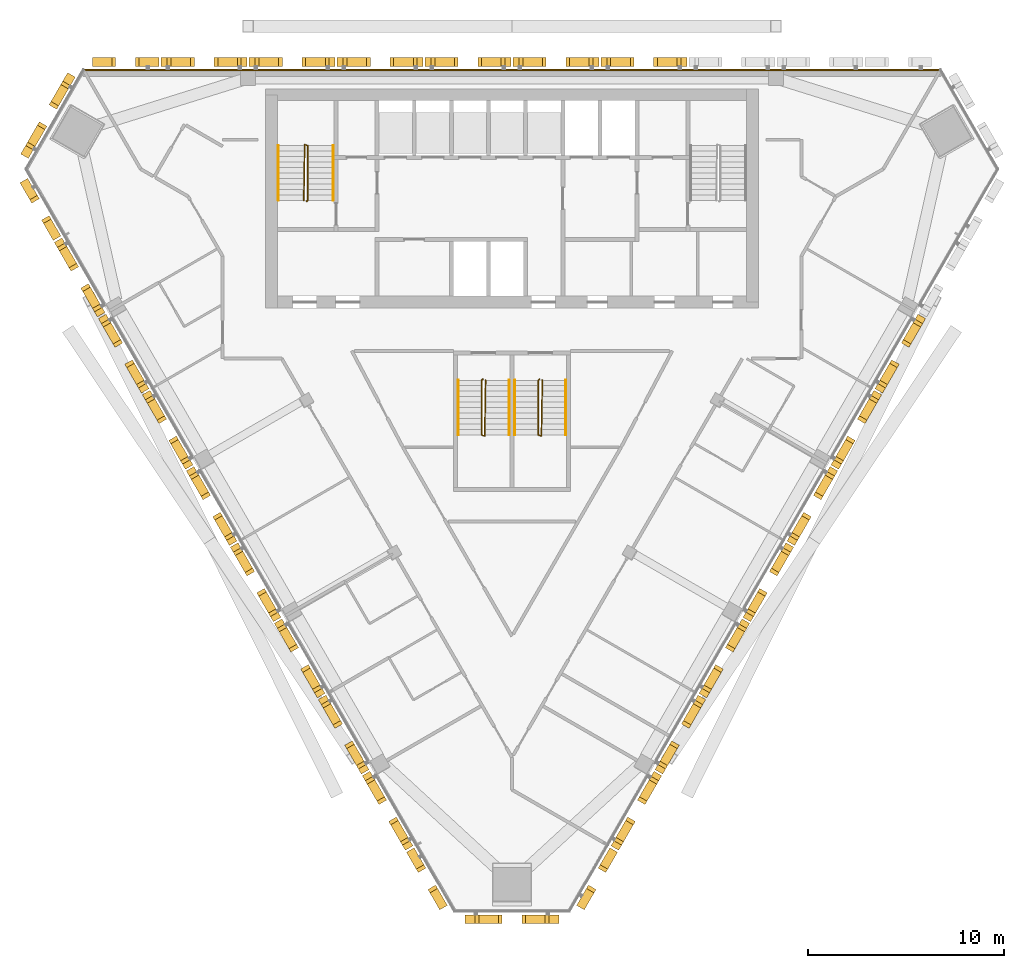
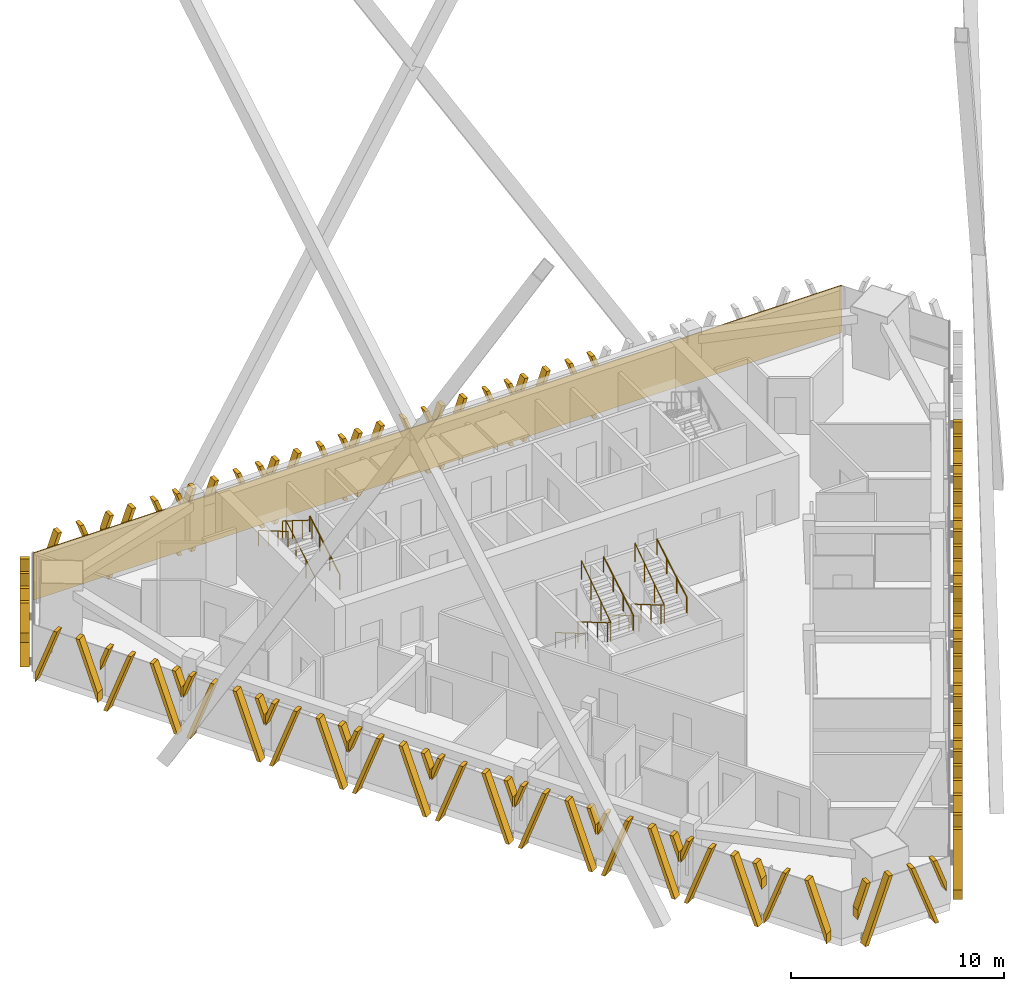
# One storey, part 20 of 22: 27 shading devices, 9 railings, 1 covering.
"""IFC4 building model written with IfcOpenShell, lengths in metres."""

import ifcopenshell
import ifcopenshell.guid

model = None  # the IFC model being written
_history = None  # IfcOwnerHistory: only IFC2X3 demands one
_inside = {}  # id of a spatial element -> (the spatial element, [elements in it])
_under = {}  # id of a project, library or spatial element -> (it, [spatial elements below it])
_declared = {}  # id of a project -> (the project, [libraries it declares])
_typed = {}  # id of a type object -> (the type object, [elements of that type])
_made_of = {}  # id of a material, layer set ... -> (it, [elements and type objects made of it])


def new_model(schema):
    """Start an empty IFC model of exactly this schema.

    Asked for "IFC4X3", IfcOpenShell would pick the latest addendum, in which some entities
    have other attributes; the version numbers below select the first issue.
    IFC2X3 requires an IfcOwnerHistory on every rooted entity: one is made here for all.
    """
    global model, _history
    if schema == "IFC4X3":
        model = ifcopenshell.file(schema_version=(4, 3, 0, 0))
    else:
        model = ifcopenshell.file(schema=schema)
    _inside.clear()
    _under.clear()
    _declared.clear()
    _typed.clear()
    _made_of.clear()
    _history = None
    if model.schema == "IFC2X3":
        org = make("IfcOrganization", Name="unknown")
        user = make(
            "IfcPersonAndOrganization",
            ThePerson=make("IfcPerson", FamilyName="unknown"),
            TheOrganization=org,
        )
        app = make(
            "IfcApplication",
            ApplicationDeveloper=org,
            Version="unknown",
            ApplicationFullName="unknown",
            ApplicationIdentifier="unknown",
        )
        _history = make(
            "IfcOwnerHistory",
            OwningUser=user,
            OwningApplication=app,
            ChangeAction="ADDED",
            CreationDate=0,
        )
    return model


def make(cls, **values):
    """One entity of the class cls with the attributes given. An attribute that is None is left unset."""
    return model.create_entity(
        cls, **{name: value for name, value in values.items() if value is not None}
    )


def rooted(cls, **values):
    """An entity with a GlobalId (a new one), such as an element, a storey or a relation."""
    return make(cls, GlobalId=ifcopenshell.guid.new(), OwnerHistory=_history, **values)


def si_unit(unit_type, name, prefix=None):
    """IfcSIUnit, for example si_unit("LENGTHUNIT", "METRE", prefix="MILLI")."""
    return make("IfcSIUnit", UnitType=unit_type, Prefix=prefix, Name=name)


def assignment(units):
    """IfcUnitAssignment: the units of a project."""
    return None if units is None else make("IfcUnitAssignment", Units=units)


def point(xyz):
    """IfcCartesianPoint."""
    return None if xyz is None else make("IfcCartesianPoint", Coordinates=xyz)


def direction(xyz):
    """IfcDirection."""
    return None if xyz is None else make("IfcDirection", DirectionRatios=xyz)


def frame(location, z_axis=None, x_axis=None):
    """IfcAxis2Placement3D, a coordinate frame: its origin and axes. An axis left out is left unset."""
    return make(
        "IfcAxis2Placement3D",
        Location=point(location),
        Axis=direction(z_axis),
        RefDirection=direction(x_axis),
    )


def frame_2d(location, x_axis=None):
    """IfcAxis2Placement2D, a coordinate frame in the plane: its origin and x axis."""
    return make(
        "IfcAxis2Placement2D", Location=point(location), RefDirection=direction(x_axis)
    )


def origin():
    """The frame at (0, 0, 0) with its axes left unset."""
    return frame((0.0, 0.0, 0.0))


def origin_2d():
    """The frame at (0, 0) in the plane with its x axis left unset."""
    return frame_2d((0.0, 0.0))


def place(relative_to, where):
    """IfcLocalPlacement: puts the frame where relative to a parent placement (None: the world)."""
    return make(
        "IfcLocalPlacement", PlacementRelTo=relative_to, RelativePlacement=where
    )


def context(
    kind, dimensions, precision=None, world=None, true_north=None, identifier=None
):
    """IfcGeometricRepresentationContext, for example the 3D "Model" context."""
    return make(
        "IfcGeometricRepresentationContext",
        ContextIdentifier=identifier,
        ContextType=kind,
        CoordinateSpaceDimension=dimensions,
        Precision=precision,
        WorldCoordinateSystem=world,
        TrueNorth=true_north,
    )


def subcontext(parent, identifier, kind, view, scale=None):
    """IfcGeometricRepresentationSubContext, for example "Body" below "Model"."""
    return make(
        "IfcGeometricRepresentationSubContext",
        ContextIdentifier=identifier,
        ContextType=kind,
        ParentContext=parent,
        TargetScale=scale,
        TargetView=view,
    )


def project(units=None, contexts=None):
    """IfcProject with its units and contexts."""
    return rooted(
        "IfcProject",
        Name="project",
        RepresentationContexts=contexts,
        UnitsInContext=assignment(units),
    )


def spatial(cls, under=None, at=None, **own):
    """A site, building, storey or space (cls), placed at a placement, below another one or the project."""
    s = rooted(cls, ObjectPlacement=at, **own)
    if under is not None:
        _under.setdefault(under.id(), (under, []))[1].append(s)
    return s


def polyline(points):
    """IfcPolyline through the points."""
    return make("IfcPolyline", Points=[point(p) for p in points])


def profile(cls, at=None, kind="AREA", **sizes):
    """A parametric profile (cls). Its sizes go by their IFC names, for example OverallWidth=200.0."""
    return make(cls, ProfileType=kind, Position=at, **sizes)


def rectangle(**sizes):
    """IfcRectangleProfileDef."""
    return profile("IfcRectangleProfileDef", **sizes)


def circle(**sizes):
    """IfcCircleProfileDef."""
    return profile("IfcCircleProfileDef", **sizes)


def outline(outer, holes=None, kind="AREA"):
    """IfcArbitraryClosedProfileDef: a profile drawn as a closed curve; with holes, ...WithVoids."""
    if holes is None:
        return make("IfcArbitraryClosedProfileDef", ProfileType=kind, OuterCurve=outer)
    return make(
        "IfcArbitraryProfileDefWithVoids",
        ProfileType=kind,
        OuterCurve=outer,
        InnerCurves=holes,
    )


def extrude(swept, where, along, depth):
    """IfcExtrudedAreaSolid: the profile swept, set in the frame where, extruded along a direction by depth."""
    return make(
        "IfcExtrudedAreaSolid",
        SweptArea=swept,
        Position=where,
        ExtrudedDirection=direction(along),
        Depth=depth,
    )


def shape(context_of_items, identifier, shape_type, items):
    """IfcShapeRepresentation: the items that make up one representation, for example the "Body"."""
    return make(
        "IfcShapeRepresentation",
        ContextOfItems=context_of_items,
        RepresentationIdentifier=identifier,
        RepresentationType=shape_type,
        Items=items,
    )


def source(mapping_origin, context_of_items, identifier, shape_type, items):
    """IfcRepresentationMap: a shape defined once, which mapped items show again and again."""
    return make(
        "IfcRepresentationMap",
        MappingOrigin=mapping_origin,
        MappedRepresentation=shape(context_of_items, identifier, shape_type, items),
    )


def transform(
    local_origin,
    x_axis=None,
    y_axis=None,
    z_axis=None,
    scale=None,
    scale2=None,
    scale3=None,
    uniform=True,
):
    """IfcCartesianTransformationOperator3D, or its non-uniform kind. x_axis, y_axis, z_axis: its Axis1, 2, 3."""
    if uniform:
        return make(
            "IfcCartesianTransformationOperator3D",
            Axis1=direction(x_axis),
            Axis2=direction(y_axis),
            LocalOrigin=point(local_origin),
            Scale=scale,
            Axis3=direction(z_axis),
        )
    return make(
        "IfcCartesianTransformationOperator3DnonUniform",
        Axis1=direction(x_axis),
        Axis2=direction(y_axis),
        LocalOrigin=point(local_origin),
        Scale=scale,
        Axis3=direction(z_axis),
        Scale2=scale2,
        Scale3=scale3,
    )


def mapped(mapping_source, mapping_target):
    """IfcMappedItem: shows the shape of a source again, moved by a transform."""
    return make(
        "IfcMappedItem", MappingSource=mapping_source, MappingTarget=mapping_target
    )


def material(Name=None, Category=None):
    """IfcMaterial."""
    return make("IfcMaterial", Name=Name, Category=Category)


def layer(
    of_material, thickness, ventilated=None, Name=None, Category=None, Priority=None
):
    """IfcMaterialLayer: one layer of a wall or slab, of a material (None: an air gap)."""
    return make(
        "IfcMaterialLayer",
        Material=of_material,
        LayerThickness=thickness,
        IsVentilated=ventilated,
        Name=Name,
        Category=Category,
        Priority=Priority,
    )


def layer_set(layers, Name=None):
    """IfcMaterialLayerSet."""
    return make("IfcMaterialLayerSet", MaterialLayers=layers, LayerSetName=Name)


def made_of(thing, what):
    """Note that an element or type object is made of a material, layer set ...; save() writes the relation."""
    if what is not None:
        _made_of.setdefault(what.id(), (what, []))[1].append(thing)
    return thing


def type_object(cls, material=None, **own):
    """A type object (cls), such as IfcWallType, which elements share."""
    return made_of(rooted(cls, **own), material)


def element(
    cls,
    number,
    at=None,
    inside=None,
    cuts=None,
    type_object=None,
    material=None,
    context=None,
    identifier="Body",
    shape_type=None,
    held_by="IfcProductDefinitionShape",
    body=None,
    shapes=None,
    **own,
):
    """One element of the class cls, such as IfcWall. Its Tag is "e" and its number.

    at: its placement. inside: the storey or other place that contains it. cuts: it is an
    opening in that element (IfcRelVoidsElement). A single representation is given by context,
    identifier, shape_type and body (its items); several are given by shapes. held_by: the class
    of the entity that holds the representations. save() writes the other relations.
    """
    e = rooted(cls, Tag="e%d" % number, ObjectPlacement=at, **own)
    if body is not None:
        shapes = [shape(context, identifier, shape_type, body)]
    if shapes is not None:
        e.Representation = make(held_by, Representations=shapes)
    if inside is not None:
        _inside.setdefault(inside.id(), (inside, []))[1].append(e)
    if cuts is not None:
        rooted(
            "IfcRelVoidsElement", RelatingBuildingElement=cuts, RelatedOpeningElement=e
        )
    if type_object is not None:
        _typed.setdefault(type_object.id(), (type_object, []))[1].append(e)
    return made_of(e, material)


def aggregate(whole, parts):
    """IfcRelAggregates: a whole, such as a stair, and the parts it consists of."""
    return rooted("IfcRelAggregates", RelatingObject=whole, RelatedObjects=parts)


def save(model, path):
    """Write the relations noted so far, then the file.

    IfcRelAggregates (storeys below a building ...), IfcRelContainedInSpatialStructure (elements
    in a storey), IfcRelDefinesByType, IfcRelAssociatesMaterial and IfcRelDeclares: one each for
    every whole, place, type object, material and project.
    """
    for whole, parts in _under.values():
        aggregate(whole, parts)
    for where, things in _inside.values():
        rooted(
            "IfcRelContainedInSpatialStructure",
            RelatedElements=things,
            RelatingStructure=where,
        )
    for kind, things in _typed.values():
        rooted("IfcRelDefinesByType", RelatedObjects=things, RelatingType=kind)
    for what, things in _made_of.values():
        rooted("IfcRelAssociatesMaterial", RelatedObjects=things, RelatingMaterial=what)
    for by, libraries in _declared.values():
        rooted("IfcRelDeclares", RelatingContext=by, RelatedDefinitions=libraries)
    model.write(path)


model = new_model("IFC4")

# Units and contexts
model_context = context("Model", 3, precision=1e-05, world=origin(), true_north=direction((0.0, 1.0)))
body_context = subcontext(model_context, "Body", "Model", "MODEL_VIEW")
ifc_project = project(units=[si_unit("LENGTHUNIT", "METRE"), si_unit("AREAUNIT", "SQUARE_METRE"), si_unit("VOLUMEUNIT", "CUBIC_METRE"), si_unit("PLANEANGLEUNIT", "RADIAN"), si_unit("MASSUNIT", "GRAM", prefix="KILO")], contexts=[model_context])

# Site, building, storey
site_placement = place(None, origin())
site = spatial("IfcSite", under=ifc_project, at=site_placement, CompositionType="ELEMENT")
building_placement = place(site_placement, origin())
building = spatial("IfcBuilding", under=site, at=building_placement, Name="Altiplano Prism Tower", CompositionType="ELEMENT")
storey_placement = place(building_placement, frame((0.0, 0.0, 219.39990234375)))
storey = spatial("IfcBuildingStorey", under=building, at=storey_placement, Name="L56", CompositionType="ELEMENT", Elevation=219.39990234375)

# Railings
ifc_material_1 = material(Name="Steel S355", Category="steel")
railing_type_1 = type_object("IfcRailingType", Name="Stair guard 1100", PredefinedType="GUARDRAIL", material=ifc_material_1)
railing_1_placement = place(storey_placement, frame((74.5, 98.25, 0.0)))
element("IfcRailing", 1, at=railing_1_placement, inside=storey, type_object=railing_type_1, Name="L56 ST1 stair guard 1", PredefinedType="GUARDRAIL", context=body_context, shape_type="SweptSolid", body=[
    extrude(circle(Radius=0.02392578125, at=origin_2d()), frame((0.0, 0.0, 1.076171875), z_axis=(0.280456126637, 0.280456126637, 0.917980785237), x_axis=(-0.707106781187, 0.707106781187, 0.0)), (0.0, 0.0, 1.0), 0.178466796875),
    extrude(circle(Radius=0.02392578125, at=origin_2d()), frame((0.050048828125, 0.050048828125, 1.23974609375), z_axis=(0.0, 0.863393664356, 0.504530851732), x_axis=(-1.0, 0.0, 0.0)), (0.0, 0.0, 1.0), 3.2431640625),
    extrude(circle(Radius=0.02392578125, at=origin_2d()), frame((0.050048828125, 2.85009765625, 2.8759765625), z_axis=(-0.949145278916, 0.314838433982, 0.0), x_axis=(-0.314838433982, -0.949145278916, 0.0)), (0.0, 0.0, 1.0), 0.158203125),
    extrude(circle(Radius=0.02392578125, at=origin_2d()), frame((-0.10009765625, 2.89990234375, 2.8759765625), z_axis=(-0.01477401265, -0.845377694409, 0.533964682676), x_axis=(0.999847325713, -0.01747355902, 0.0)), (0.0, 0.0, 1.0), 3.37109375),
    extrude(circle(Radius=0.02099609375, at=origin_2d()), origin(), (0.0, 0.0, 1.0), 1.052001953125),
    extrude(circle(Radius=0.02099609375, at=origin_2d()), frame((0.050048828125, 0.050048828125, 0.163818359375)), (0.0, 0.0, 1.0), 1.052001953125),
    extrude(circle(Radius=0.02099609375, at=origin_2d()), frame((0.050048828125, 0.9833984375, 0.709228515625)), (0.0, 0.0, 1.0), 1.052001953125),
    extrude(circle(Radius=0.02099609375, at=origin_2d()), frame((0.050048828125, 1.916748046875, 1.254638671875)), (0.0, 0.0, 1.0), 1.052001953125),
    extrude(circle(Radius=0.02099609375, at=origin_2d()), frame((0.050048828125, 2.85009765625, 1.800048828125)), (0.0, 0.0, 1.0), 1.052001953125),
    extrude(circle(Radius=0.02099609375, at=origin_2d()), frame((-0.10009765625, 2.89990234375, 1.800048828125)), (0.0, 0.0, 1.0), 1.052001953125),
    extrude(circle(Radius=0.02099609375, at=origin_2d()), frame((-0.11669921875, 1.949951171875, 2.400146484375)), (0.0, 0.0, 1.0), 1.052001953125),
    extrude(circle(Radius=0.02099609375, at=origin_2d()), frame((-0.13330078125, 1.0, 3.0)), (0.0, 0.0, 1.0), 1.052001953125),
    extrude(circle(Radius=0.02099609375, at=origin_2d()), frame((-0.14990234375, 0.050048828125, 3.60009765625)), (0.0, 0.0, 1.0), 1.052001953125),
])
railing_2_placement = place(storey_placement, frame((83.5, 89.14990234375, 0.0)))
element("IfcRailing", 2, at=railing_2_placement, inside=storey, type_object=railing_type_1, Name="L56 ST3A stair guard 1", PredefinedType="GUARDRAIL", context=body_context, shape_type="SweptSolid", body=[
    extrude(circle(Radius=0.02392578125, at=origin_2d()), frame((0.0, 0.0, 1.076171875), z_axis=(-0.280563532951, -0.279194930351, 0.91833234444), x_axis=(0.705375805398, -0.708833529934, 0.0)), (0.0, 0.0, 1.0), 0.178466796875),
    extrude(circle(Radius=0.02392578125, at=origin_2d()), frame((-0.050048828125, -0.0498046875, 1.23974609375), z_axis=(0.0, -0.863393664356, 0.504530851732), x_axis=(1.0, 0.0, 0.0)), (0.0, 0.0, 1.0), 3.2431640625),
    extrude(circle(Radius=0.02392578125, at=origin_2d()), frame((-0.050048828125, -2.849853515625, 2.8759765625), z_axis=(0.948683298051, -0.316227766017, 0.0), x_axis=(0.316227766017, 0.948683298051, 0.0)), (0.0, 0.0, 1.0), 0.158203125),
    extrude(circle(Radius=0.02392578125, at=origin_2d()), frame((0.10009765625, -2.89990234375, 2.8759765625), z_axis=(0.014773108175, 0.84539835705, 0.533931993021), x_axis=(-0.999847351862, 0.017472062685, 0.0)), (0.0, 0.0, 1.0), 3.371337890625),
    extrude(circle(Radius=0.02099609375, at=origin_2d()), origin(), (0.0, 0.0, 1.0), 1.052001953125),
    extrude(circle(Radius=0.02099609375, at=origin_2d()), frame((-0.050048828125, -0.0498046875, 0.163818359375)), (0.0, 0.0, 1.0), 1.052001953125),
    extrude(circle(Radius=0.02099609375, at=origin_2d()), frame((-0.050048828125, -0.983154296875, 0.709228515625)), (0.0, 0.0, 1.0), 1.052001953125),
    extrude(circle(Radius=0.02099609375, at=origin_2d()), frame((-0.050048828125, -1.91650390625, 1.254638671875)), (0.0, 0.0, 1.0), 1.052001953125),
    extrude(circle(Radius=0.02099609375, at=origin_2d()), frame((-0.050048828125, -2.849853515625, 1.800048828125)), (0.0, 0.0, 1.0), 1.052001953125),
    extrude(circle(Radius=0.02099609375, at=origin_2d()), frame((0.10009765625, -2.89990234375, 1.800048828125)), (0.0, 0.0, 1.0), 1.052001953125),
    extrude(circle(Radius=0.02099609375, at=origin_2d()), frame((0.11669921875, -1.949951171875, 2.400146484375)), (0.0, 0.0, 1.0), 1.052001953125),
    extrude(circle(Radius=0.02099609375, at=origin_2d()), frame((0.13330078125, -0.999755859375, 3.0)), (0.0, 0.0, 1.0), 1.052001953125),
    extrude(circle(Radius=0.02099609375, at=origin_2d()), frame((0.14990234375, -0.0498046875, 3.60009765625)), (0.0, 0.0, 1.0), 1.052001953125),
])
railing_3_placement = place(storey_placement, frame((86.39990234375, 89.14990234375, 0.0)))
element("IfcRailing", 3, at=railing_3_placement, inside=storey, type_object=railing_type_1, Name="L56 ST3B stair guard 1", PredefinedType="GUARDRAIL", context=body_context, shape_type="SweptSolid", body=[
    extrude(circle(Radius=0.02392578125, at=origin_2d()), frame((0.0, 0.0, 1.076171875), z_axis=(-0.279301935624, -0.279301935624, 0.918684307863), x_axis=(0.707106781187, -0.707106781187, 0.0)), (0.0, 0.0, 1.0), 0.17822265625),
    extrude(circle(Radius=0.02392578125, at=origin_2d()), frame((-0.0498046875, -0.0498046875, 1.23974609375), z_axis=(0.0, -0.863393664356, 0.504530851732), x_axis=(1.0, 0.0, 0.0)), (0.0, 0.0, 1.0), 3.2431640625),
    extrude(circle(Radius=0.02392578125, at=origin_2d()), frame((-0.0498046875, -2.849853515625, 2.8759765625), z_axis=(0.948528701346, -0.316691178788, 0.0), x_axis=(0.316691178788, 0.948528701346, 0.0)), (0.0, 0.0, 1.0), 0.157958984375),
    extrude(circle(Radius=0.02392578125, at=origin_2d()), frame((0.10009765625, -2.89990234375, 2.8759765625), z_axis=(0.014845509451, 0.845397450405, 0.533931420407), x_axis=(-0.999845851991, 0.017557683712, 0.0)), (0.0, 0.0, 1.0), 3.371337890625),
    extrude(circle(Radius=0.02099609375, at=origin_2d()), origin(), (0.0, 0.0, 1.0), 1.052001953125),
    extrude(circle(Radius=0.02099609375, at=origin_2d()), frame((-0.0498046875, -0.0498046875, 0.163818359375)), (0.0, 0.0, 1.0), 1.052001953125),
    extrude(circle(Radius=0.02099609375, at=origin_2d()), frame((-0.0498046875, -0.983154296875, 0.709228515625)), (0.0, 0.0, 1.0), 1.052001953125),
    extrude(circle(Radius=0.02099609375, at=origin_2d()), frame((-0.0498046875, -1.91650390625, 1.254638671875)), (0.0, 0.0, 1.0), 1.052001953125),
    extrude(circle(Radius=0.02099609375, at=origin_2d()), frame((-0.0498046875, -2.849853515625, 1.800048828125)), (0.0, 0.0, 1.0), 1.052001953125),
    extrude(circle(Radius=0.02099609375, at=origin_2d()), frame((0.10009765625, -2.89990234375, 1.800048828125)), (0.0, 0.0, 1.0), 1.052001953125),
    extrude(circle(Radius=0.02099609375, at=origin_2d()), frame((0.11669921875, -1.949951171875, 2.400146484375)), (0.0, 0.0, 1.0), 1.052001953125),
    extrude(circle(Radius=0.02099609375, at=origin_2d()), frame((0.133544921875, -0.999755859375, 3.0)), (0.0, 0.0, 1.0), 1.052001953125),
    extrude(circle(Radius=0.02099609375, at=origin_2d()), frame((0.150146484375, -0.0498046875, 3.60009765625)), (0.0, 0.0, 1.0), 1.052001953125),
])
railing_type_2 = type_object("IfcRailingType", Name="Stair handrail 900", PredefinedType="HANDRAIL", material=ifc_material_1)
railing_4_placement = place(storey_placement, frame((75.85009765625, 98.300048828125, 0.163818359375)))
element("IfcRailing", 4, at=railing_4_placement, inside=storey, type_object=railing_type_2, Name="L56 ST1 stair handrail 1", PredefinedType="HANDRAIL", context=body_context, shape_type="SweptSolid", body=[
    extrude(circle(Radius=0.02392578125, at=origin_2d()), frame((0.0, 0.0, 0.8759765625), z_axis=(0.0, 0.863393664356, 0.504530851732), x_axis=(-1.0, 0.0, 0.0)), (0.0, 0.0, 1.0), 3.2431640625),
    extrude(circle(Radius=0.02099609375, at=origin_2d()), origin(), (0.0, 0.0, 1.0), 0.851806640625),
    extrude(circle(Radius=0.02099609375, at=origin_2d()), frame((0.0, 0.933349609375, 0.54541015625)), (0.0, 0.0, 1.0), 0.851806640625),
    extrude(circle(Radius=0.02099609375, at=origin_2d()), frame((0.0, 1.86669921875, 1.0908203125)), (0.0, 0.0, 1.0), 0.851806640625),
    extrude(circle(Radius=0.02099609375, at=origin_2d()), frame((0.0, 2.800048828125, 1.63623046875)), (0.0, 0.0, 1.0), 0.851806640625),
])
railing_5_placement = place(storey_placement, frame((73.050048828125, 101.10009765625, 1.963623046875)))
element("IfcRailing", 5, at=railing_5_placement, inside=storey, type_object=railing_type_2, Name="L56 ST1 stair handrail 2", PredefinedType="HANDRAIL", context=body_context, shape_type="SweptSolid", body=[
    extrude(circle(Radius=0.02392578125, at=origin_2d()), frame((0.0, 0.0, 0.8759765625), z_axis=(0.0, -0.863360870873, 0.504586966384), x_axis=(1.0, 0.0, 0.0)), (0.0, 0.0, 1.0), 3.2431640625),
    extrude(circle(Radius=0.02099609375, at=origin_2d()), origin(), (0.0, 0.0, 1.0), 0.851806640625),
    extrude(circle(Radius=0.02099609375, at=origin_2d()), frame((0.0, -0.933349609375, 0.54541015625)), (0.0, 0.0, 1.0), 0.851806640625),
    extrude(circle(Radius=0.02099609375, at=origin_2d()), frame((0.0, -1.86669921875, 1.091064453125)), (0.0, 0.0, 1.0), 0.851806640625),
    extrude(circle(Radius=0.02099609375, at=origin_2d()), frame((0.0, -2.800048828125, 1.636474609375)), (0.0, 0.0, 1.0), 0.851806640625),
])
railing_6_placement = place(storey_placement, frame((82.25, 89.10009765625, 0.163818359375)))
element("IfcRailing", 6, at=railing_6_placement, inside=storey, type_object=railing_type_2, Name="L56 ST3A stair handrail 1", PredefinedType="HANDRAIL", context=body_context, shape_type="SweptSolid", body=[
    extrude(circle(Radius=0.02392578125, at=origin_2d()), frame((0.0, 0.0, 0.8759765625), z_axis=(0.0, -0.863393664356, 0.504530851732), x_axis=(1.0, 0.0, 0.0)), (0.0, 0.0, 1.0), 3.2431640625),
    extrude(circle(Radius=0.02099609375, at=origin_2d()), origin(), (0.0, 0.0, 1.0), 0.851806640625),
    extrude(circle(Radius=0.02099609375, at=origin_2d()), frame((0.0, -0.933349609375, 0.54541015625)), (0.0, 0.0, 1.0), 0.851806640625),
    extrude(circle(Radius=0.02099609375, at=origin_2d()), frame((0.0, -1.86669921875, 1.0908203125)), (0.0, 0.0, 1.0), 0.851806640625),
    extrude(circle(Radius=0.02099609375, at=origin_2d()), frame((0.0, -2.800048828125, 1.63623046875)), (0.0, 0.0, 1.0), 0.851806640625),
])
railing_7_placement = place(storey_placement, frame((84.85009765625, 86.300048828125, 1.963623046875)))
element("IfcRailing", 7, at=railing_7_placement, inside=storey, type_object=railing_type_2, Name="L56 ST3A stair handrail 2", PredefinedType="HANDRAIL", context=body_context, shape_type="SweptSolid", body=[
    extrude(circle(Radius=0.02392578125, at=origin_2d()), frame((0.0, 0.0, 0.8759765625), z_axis=(0.0, 0.863360870873, 0.504586966384), x_axis=(-1.0, 0.0, 0.0)), (0.0, 0.0, 1.0), 3.2431640625),
    extrude(circle(Radius=0.02099609375, at=origin_2d()), origin(), (0.0, 0.0, 1.0), 0.851806640625),
    extrude(circle(Radius=0.02099609375, at=origin_2d()), frame((0.0, 0.933349609375, 0.54541015625)), (0.0, 0.0, 1.0), 0.851806640625),
    extrude(circle(Radius=0.02099609375, at=origin_2d()), frame((0.0, 1.86669921875, 1.091064453125)), (0.0, 0.0, 1.0), 0.851806640625),
    extrude(circle(Radius=0.02099609375, at=origin_2d()), frame((0.0, 2.800048828125, 1.636474609375)), (0.0, 0.0, 1.0), 0.851806640625),
])
railing_8_placement = place(storey_placement, frame((85.14990234375, 89.10009765625, 0.163818359375)))
element("IfcRailing", 8, at=railing_8_placement, inside=storey, type_object=railing_type_2, Name="L56 ST3B stair handrail 1", PredefinedType="HANDRAIL", context=body_context, shape_type="SweptSolid", body=[
    extrude(circle(Radius=0.02392578125, at=origin_2d()), frame((0.0, 0.0, 0.8759765625), z_axis=(0.0, -0.863393664356, 0.504530851732), x_axis=(1.0, 0.0, 0.0)), (0.0, 0.0, 1.0), 3.2431640625),
    extrude(circle(Radius=0.02099609375, at=origin_2d()), origin(), (0.0, 0.0, 1.0), 0.851806640625),
    extrude(circle(Radius=0.02099609375, at=origin_2d()), frame((0.0, -0.933349609375, 0.54541015625)), (0.0, 0.0, 1.0), 0.851806640625),
    extrude(circle(Radius=0.02099609375, at=origin_2d()), frame((0.0, -1.86669921875, 1.0908203125)), (0.0, 0.0, 1.0), 0.851806640625),
    extrude(circle(Radius=0.02099609375, at=origin_2d()), frame((0.0, -2.800048828125, 1.63623046875)), (0.0, 0.0, 1.0), 0.851806640625),
])
railing_9_placement = place(storey_placement, frame((87.75, 86.300048828125, 1.963623046875)))
element("IfcRailing", 9, at=railing_9_placement, inside=storey, type_object=railing_type_2, Name="L56 ST3B stair handrail 2", PredefinedType="HANDRAIL", context=body_context, shape_type="SweptSolid", body=[
    extrude(circle(Radius=0.02392578125, at=origin_2d()), frame((0.0, 0.0, 0.8759765625), z_axis=(0.0, 0.863360870873, 0.504586966384), x_axis=(-1.0, 0.0, 0.0)), (0.0, 0.0, 1.0), 3.2431640625),
    extrude(circle(Radius=0.02099609375, at=origin_2d()), origin(), (0.0, 0.0, 1.0), 0.851806640625),
    extrude(circle(Radius=0.02099609375, at=origin_2d()), frame((0.0, 0.933349609375, 0.54541015625)), (0.0, 0.0, 1.0), 0.851806640625),
    extrude(circle(Radius=0.02099609375, at=origin_2d()), frame((0.0, 1.86669921875, 1.091064453125)), (0.0, 0.0, 1.0), 0.851806640625),
    extrude(circle(Radius=0.02099609375, at=origin_2d()), frame((0.0, 2.800048828125, 1.636474609375)), (0.0, 0.0, 1.0), 0.851806640625),
])

# Covering
ifc_material_2 = material(Name="Warm limestone cast stone", Category="masonry")
ifc_layer = layer(ifc_material_2, 0.06005859375)
ifc_layer_set = layer_set([ifc_layer], Name="Warm limestone cast stone")
covering_type = type_object("IfcCoveringType", Name="Stone cladding 60", PredefinedType="CLADDING", material=ifc_layer_set)
covering_placement = place(storey_placement, frame((63.063232421875, 104.969970703125, 0.0), z_axis=(0.0, 0.0, 1.0), x_axis=(1.0, 0.0, 0.0)))
element("IfcCovering", 10, at=covering_placement, inside=storey, type_object=covering_type, Name="Stone cladding north face L56", PredefinedType="CLADDING", context=body_context, shape_type="SweptSolid", body=[
    extrude(rectangle(XDim=43.87353515625, YDim=0.06005859375, at=frame_2d((21.936767578125, 0.0))), origin(), (0.0, 0.0, 1.0), 2.7001953125),
])

# Shading devices
shading_device_type_1 = type_object("IfcShadingDeviceType", Name="Stone fin panel, standard unit", PredefinedType="USERDEFINED", material=ifc_material_2)
shared_shape_1 = source(origin(), body_context, "Body", "SweptSolid", [
    extrude(outline(polyline([(-2.199951171875, 2.226318359375), (-1.699951171875, 3.60009765625), (-1.89990234375, 3.60009765625), (-2.199951171875, 2.77587890625), (-2.199951171875, 2.226318359375)])), frame((0.0, -0.14990234375, 0.0), z_axis=(0.0, -1.0, 0.0), x_axis=(1.0, 0.0, 0.0)), (0.0, 0.0, 1.0), 0.4501953125),
    extrude(outline(polyline([(-2.01025390625, 0.0), (-1.810302734375, 0.0), (-0.5, 3.60009765625), (-0.699951171875, 3.60009765625), (-2.01025390625, 0.0)])), frame((0.0, -0.14990234375, 0.0), z_axis=(0.0, -1.0, 0.0), x_axis=(1.0, 0.0, 0.0)), (0.0, 0.0, 1.0), 0.4501953125),
    extrude(outline(polyline([(1.810302734375, 0.0), (2.01025390625, 0.0), (0.699951171875, 3.60009765625), (0.5, 3.60009765625), (1.810302734375, 0.0)])), frame((0.0, -0.14990234375, 0.0), z_axis=(0.0, -1.0, 0.0), x_axis=(1.0, 0.0, 0.0)), (0.0, 0.0, 1.0), 0.4501953125),
    extrude(outline(polyline([(2.199951171875, 2.77587890625), (1.89990234375, 3.60009765625), (1.699951171875, 3.60009765625), (2.199951171875, 2.226318359375), (2.199951171875, 2.77587890625)])), frame((0.0, -0.14990234375, 0.0), z_axis=(0.0, -1.0, 0.0), x_axis=(1.0, 0.0, 0.0)), (0.0, 0.0, 1.0), 0.4501953125),
])
shading_device_1_placement = place(storey_placement, origin())
element("IfcShadingDevice", 11, at=shading_device_1_placement, inside=storey, type_object=shading_device_type_1, Name="Fin L56 north face 4", ObjectType="FIN", PredefinedType="USERDEFINED", context=body_context, shape_type="MappedRepresentation", body=[
    mapped(shared_shape_1, transform((91.75, 105.0, -0.39990234375), x_axis=(-1.0, 0.0, 0.0), y_axis=(0.0, -1.0, 0.0), z_axis=(0.0, 0.0, 1.0))),
])
shading_device_2_placement = place(storey_placement, origin())
element("IfcShadingDevice", 12, at=shading_device_2_placement, inside=storey, type_object=shading_device_type_1, Name="Fin L56 north face 5", ObjectType="FIN", PredefinedType="USERDEFINED", context=body_context, shape_type="MappedRepresentation", body=[
    mapped(shared_shape_1, transform((87.25, 105.0, -0.39990234375), x_axis=(-1.0, 0.0, 0.0), y_axis=(0.0, -1.0, 0.0), z_axis=(0.0, 0.0, 1.0))),
])
shading_device_3_placement = place(storey_placement, origin())
element("IfcShadingDevice", 13, at=shading_device_3_placement, inside=storey, type_object=shading_device_type_1, Name="Fin L56 north face 6", ObjectType="FIN", PredefinedType="USERDEFINED", context=body_context, shape_type="MappedRepresentation", body=[
    mapped(shared_shape_1, transform((82.75, 105.0, -0.39990234375), x_axis=(-1.0, 0.0, 0.0), y_axis=(0.0, -1.0, 0.0), z_axis=(0.0, 0.0, 1.0))),
])
shading_device_4_placement = place(storey_placement, origin())
element("IfcShadingDevice", 14, at=shading_device_4_placement, inside=storey, type_object=shading_device_type_1, Name="Fin L56 north face 7", ObjectType="FIN", PredefinedType="USERDEFINED", context=body_context, shape_type="MappedRepresentation", body=[
    mapped(shared_shape_1, transform((78.25, 105.0, -0.39990234375), x_axis=(-1.0, 0.0, 0.0), y_axis=(0.0, -1.0, 0.0), z_axis=(0.0, 0.0, 1.0))),
])
shading_device_5_placement = place(storey_placement, origin())
element("IfcShadingDevice", 15, at=shading_device_5_placement, inside=storey, type_object=shading_device_type_1, Name="Fin L56 north face 8", ObjectType="FIN", PredefinedType="USERDEFINED", context=body_context, shape_type="MappedRepresentation", body=[
    mapped(shared_shape_1, transform((73.75, 105.0, -0.39990234375), x_axis=(-1.0, 0.0, 0.0), y_axis=(0.0, -1.0, 0.0), z_axis=(0.0, 0.0, 1.0))),
])
shading_device_6_placement = place(storey_placement, origin())
element("IfcShadingDevice", 16, at=shading_device_6_placement, inside=storey, type_object=shading_device_type_1, Name="Fin L56 north face 9", ObjectType="FIN", PredefinedType="USERDEFINED", context=body_context, shape_type="MappedRepresentation", body=[
    mapped(shared_shape_1, transform((69.25, 105.0, -0.39990234375), x_axis=(-1.0, 0.0, 0.0), y_axis=(0.0, -1.0, 0.0), z_axis=(0.0, 0.0, 1.0))),
])
shading_device_7_placement = place(storey_placement, origin())
element("IfcShadingDevice", 17, at=shading_device_7_placement, inside=storey, type_object=shading_device_type_1, Name="Fin L56 south-west face 2", ObjectType="FIN", PredefinedType="USERDEFINED", context=body_context, shape_type="MappedRepresentation", body=[
    mapped(shared_shape_1, transform((63.21337890625, 94.54443359375, -0.39990234375), x_axis=(0.499999980144, -0.866025415249, 0.0), y_axis=(0.866025415249, 0.499999980144, 0.0), z_axis=(0.0, 0.0, 1.0))),
])
shading_device_8_placement = place(storey_placement, origin())
element("IfcShadingDevice", 18, at=shading_device_8_placement, inside=storey, type_object=shading_device_type_1, Name="Fin L56 south-west face 3", ObjectType="FIN", PredefinedType="USERDEFINED", context=body_context, shape_type="MappedRepresentation", body=[
    mapped(shared_shape_1, transform((65.46337890625, 90.647216796875, -0.39990234375), x_axis=(0.499999980144, -0.866025415249, 0.0), y_axis=(0.866025415249, 0.499999980144, 0.0), z_axis=(0.0, 0.0, 1.0))),
])
shading_device_9_placement = place(storey_placement, origin())
element("IfcShadingDevice", 19, at=shading_device_9_placement, inside=storey, type_object=shading_device_type_1, Name="Fin L56 south-west face 4", ObjectType="FIN", PredefinedType="USERDEFINED", context=body_context, shape_type="MappedRepresentation", body=[
    mapped(shared_shape_1, transform((67.71337890625, 86.750244140625, -0.39990234375), x_axis=(0.499999980144, -0.866025415249, 0.0), y_axis=(0.866025415249, 0.499999980144, 0.0), z_axis=(0.0, 0.0, 1.0))),
])
shading_device_10_placement = place(storey_placement, origin())
element("IfcShadingDevice", 20, at=shading_device_10_placement, inside=storey, type_object=shading_device_type_1, Name="Fin L56 south-west face 5", ObjectType="FIN", PredefinedType="USERDEFINED", context=body_context, shape_type="MappedRepresentation", body=[
    mapped(shared_shape_1, transform((69.96337890625, 82.85302734375, -0.39990234375), x_axis=(0.499999980144, -0.866025415249, 0.0), y_axis=(0.866025415249, 0.499999980144, 0.0), z_axis=(0.0, 0.0, 1.0))),
])
shading_device_11_placement = place(storey_placement, origin())
element("IfcShadingDevice", 21, at=shading_device_11_placement, inside=storey, type_object=shading_device_type_1, Name="Fin L56 south-west face 6", ObjectType="FIN", PredefinedType="USERDEFINED", context=body_context, shape_type="MappedRepresentation", body=[
    mapped(shared_shape_1, transform((72.21337890625, 78.9560546875, -0.39990234375), x_axis=(0.499999980144, -0.866025415249, 0.0), y_axis=(0.866025415249, 0.499999980144, 0.0), z_axis=(0.0, 0.0, 1.0))),
])
shading_device_12_placement = place(storey_placement, origin())
element("IfcShadingDevice", 22, at=shading_device_12_placement, inside=storey, type_object=shading_device_type_1, Name="Fin L56 south-west face 7", ObjectType="FIN", PredefinedType="USERDEFINED", context=body_context, shape_type="MappedRepresentation", body=[
    mapped(shared_shape_1, transform((74.46337890625, 75.058837890625, -0.39990234375), x_axis=(0.499999980144, -0.866025415249, 0.0), y_axis=(0.866025415249, 0.499999980144, 0.0), z_axis=(0.0, 0.0, 1.0))),
])
shading_device_13_placement = place(storey_placement, origin())
element("IfcShadingDevice", 23, at=shading_device_13_placement, inside=storey, type_object=shading_device_type_1, Name="Fin L56 south-west face 8", ObjectType="FIN", PredefinedType="USERDEFINED", context=body_context, shape_type="MappedRepresentation", body=[
    mapped(shared_shape_1, transform((76.71337890625, 71.16162109375, -0.39990234375), x_axis=(0.499999980144, -0.866025415249, 0.0), y_axis=(0.866025415249, 0.499999980144, 0.0), z_axis=(0.0, 0.0, 1.0))),
])
shading_device_14_placement = place(storey_placement, origin())
element("IfcShadingDevice", 24, at=shading_device_14_placement, inside=storey, type_object=shading_device_type_1, Name="Fin L56 south-west face 9", ObjectType="FIN", PredefinedType="USERDEFINED", context=body_context, shape_type="MappedRepresentation", body=[
    mapped(shared_shape_1, transform((78.96337890625, 67.2646484375, -0.39990234375), x_axis=(0.499999980144, -0.866025415249, 0.0), y_axis=(0.866025415249, 0.499999980144, 0.0), z_axis=(0.0, 0.0, 1.0))),
])
shading_device_15_placement = place(storey_placement, origin())
element("IfcShadingDevice", 25, at=shading_device_15_placement, inside=storey, type_object=shading_device_type_1, Name="Fin L56 south-east face 2", ObjectType="FIN", PredefinedType="USERDEFINED", context=body_context, shape_type="MappedRepresentation", body=[
    mapped(shared_shape_1, transform((91.03662109375, 67.2646484375, -0.39990234375), x_axis=(0.499999980144, 0.866025415249, 0.0), y_axis=(-0.866025415249, 0.499999980144, 0.0), z_axis=(0.0, 0.0, 1.0))),
])
shading_device_16_placement = place(storey_placement, origin())
element("IfcShadingDevice", 26, at=shading_device_16_placement, inside=storey, type_object=shading_device_type_1, Name="Fin L56 south-east face 3", ObjectType="FIN", PredefinedType="USERDEFINED", context=body_context, shape_type="MappedRepresentation", body=[
    mapped(shared_shape_1, transform((93.28662109375, 71.16162109375, -0.39990234375), x_axis=(0.499999980144, 0.866025415249, 0.0), y_axis=(-0.866025415249, 0.499999980144, 0.0), z_axis=(0.0, 0.0, 1.0))),
])
shading_device_17_placement = place(storey_placement, origin())
element("IfcShadingDevice", 27, at=shading_device_17_placement, inside=storey, type_object=shading_device_type_1, Name="Fin L56 south-east face 4", ObjectType="FIN", PredefinedType="USERDEFINED", context=body_context, shape_type="MappedRepresentation", body=[
    mapped(shared_shape_1, transform((95.53662109375, 75.058837890625, -0.39990234375), x_axis=(0.499999980144, 0.866025415249, 0.0), y_axis=(-0.866025415249, 0.499999980144, 0.0), z_axis=(0.0, 0.0, 1.0))),
])
shading_device_18_placement = place(storey_placement, origin())
element("IfcShadingDevice", 28, at=shading_device_18_placement, inside=storey, type_object=shading_device_type_1, Name="Fin L56 south-east face 5", ObjectType="FIN", PredefinedType="USERDEFINED", context=body_context, shape_type="MappedRepresentation", body=[
    mapped(shared_shape_1, transform((97.78662109375, 78.9560546875, -0.39990234375), x_axis=(0.499999980144, 0.866025415249, 0.0), y_axis=(-0.866025415249, 0.499999980144, 0.0), z_axis=(0.0, 0.0, 1.0))),
])
shading_device_19_placement = place(storey_placement, origin())
element("IfcShadingDevice", 29, at=shading_device_19_placement, inside=storey, type_object=shading_device_type_1, Name="Fin L56 south-east face 6", ObjectType="FIN", PredefinedType="USERDEFINED", context=body_context, shape_type="MappedRepresentation", body=[
    mapped(shared_shape_1, transform((100.03662109375, 82.85302734375, -0.39990234375), x_axis=(0.499999980144, 0.866025415249, 0.0), y_axis=(-0.866025415249, 0.499999980144, 0.0), z_axis=(0.0, 0.0, 1.0))),
])
shading_device_20_placement = place(storey_placement, origin())
element("IfcShadingDevice", 30, at=shading_device_20_placement, inside=storey, type_object=shading_device_type_1, Name="Fin L56 south-east face 7", ObjectType="FIN", PredefinedType="USERDEFINED", context=body_context, shape_type="MappedRepresentation", body=[
    mapped(shared_shape_1, transform((102.28662109375, 86.750244140625, -0.39990234375), x_axis=(0.499999980144, 0.866025415249, 0.0), y_axis=(-0.866025415249, 0.499999980144, 0.0), z_axis=(0.0, 0.0, 1.0))),
])
shading_device_21_placement = place(storey_placement, origin())
element("IfcShadingDevice", 31, at=shading_device_21_placement, inside=storey, type_object=shading_device_type_1, Name="Fin L56 south-east face 8", ObjectType="FIN", PredefinedType="USERDEFINED", context=body_context, shape_type="MappedRepresentation", body=[
    mapped(shared_shape_1, transform((104.53662109375, 90.647216796875, -0.39990234375), x_axis=(0.499999980144, 0.866025415249, 0.0), y_axis=(-0.866025415249, 0.499999980144, 0.0), z_axis=(0.0, 0.0, 1.0))),
])
shading_device_type_2 = type_object("IfcShadingDeviceType", Name="Stone fin panel, narrow closing bay", PredefinedType="USERDEFINED", material=ifc_material_2)
shared_shape_2 = source(origin(), body_context, "Body", "SweptSolid", [
    extrude(outline(polyline([(-1.699951171875, 0.302978515625), (-0.5, 3.60009765625), (-0.699951171875, 3.60009765625), (-1.699951171875, 0.8525390625), (-1.699951171875, 0.302978515625)])), frame((0.0, -0.14990234375, 0.0), z_axis=(0.0, -1.0, 0.0), x_axis=(1.0, 0.0, 0.0)), (0.0, 0.0, 1.0), 0.4501953125),
    extrude(outline(polyline([(1.699951171875, 0.8525390625), (0.699951171875, 3.60009765625), (0.5, 3.60009765625), (1.699951171875, 0.302978515625), (1.699951171875, 0.8525390625)])), frame((0.0, -0.14990234375, 0.0), z_axis=(0.0, -1.0, 0.0), x_axis=(1.0, 0.0, 0.0)), (0.0, 0.0, 1.0), 0.4501953125),
])
shading_device_22_placement = place(storey_placement, origin())
element("IfcShadingDevice", 32, at=shading_device_22_placement, inside=storey, type_object=shading_device_type_2, Name="Fin L56 north face 10", ObjectType="FIN", PredefinedType="USERDEFINED", context=body_context, shape_type="MappedRepresentation", body=[
    mapped(shared_shape_2, transform((65.231689453125, 105.0, -0.39990234375), x_axis=(-1.0, 0.0, 0.0), y_axis=(0.0, -1.0, 0.0), z_axis=(0.0, 0.0, 1.0))),
])
shading_device_23_placement = place(storey_placement, origin())
element("IfcShadingDevice", 33, at=shading_device_23_placement, inside=storey, type_object=shading_device_type_2, Name="Fin L56 south-west face 1", ObjectType="FIN", PredefinedType="USERDEFINED", context=body_context, shape_type="MappedRepresentation", body=[
    mapped(shared_shape_2, transform((61.204345703125, 98.0244140625, -0.39990234375), x_axis=(0.499999980144, -0.866025415249, 0.0), y_axis=(0.866025415249, 0.499999980144, 0.0), z_axis=(0.0, 0.0, 1.0))),
])
shading_device_24_placement = place(storey_placement, origin())
element("IfcShadingDevice", 34, at=shading_device_24_placement, inside=storey, type_object=shading_device_type_2, Name="Fin L56 south-west face 10", ObjectType="FIN", PredefinedType="USERDEFINED", context=body_context, shape_type="MappedRepresentation", body=[
    mapped(shared_shape_2, transform((80.97265625, 63.78466796875, -0.39990234375), x_axis=(0.499999980144, -0.866025415249, 0.0), y_axis=(0.866025415249, 0.499999980144, 0.0), z_axis=(0.0, 0.0, 1.0))),
])
shading_device_25_placement = place(storey_placement, origin())
element("IfcShadingDevice", 35, at=shading_device_25_placement, inside=storey, type_object=shading_device_type_2, Name="Fin L56 south-east face 1", ObjectType="FIN", PredefinedType="USERDEFINED", context=body_context, shape_type="MappedRepresentation", body=[
    mapped(shared_shape_2, transform((89.02734375, 63.78466796875, -0.39990234375), x_axis=(0.499999980144, 0.866025415249, 0.0), y_axis=(-0.866025415249, 0.499999980144, 0.0), z_axis=(0.0, 0.0, 1.0))),
])
shading_device_type_3 = type_object("IfcShadingDeviceType", Name="Stone fin panel, chamfer unit", PredefinedType="USERDEFINED", material=ifc_material_2)
shared_shape_3 = source(origin(), body_context, "Body", "SweptSolid", [
    extrude(outline(polyline([(-2.39990234375, 1.6767578125), (-1.699951171875, 3.60009765625), (-1.89990234375, 3.60009765625), (-2.39990234375, 2.226318359375), (-2.39990234375, 1.6767578125)])), frame((0.0, -0.14990234375, 0.0), z_axis=(0.0, -1.0, 0.0), x_axis=(1.0, 0.0, 0.0)), (0.0, 0.0, 1.0), 0.4501953125),
    extrude(outline(polyline([(-2.01025390625, 0.0), (-1.810302734375, 0.0), (-0.5, 3.60009765625), (-0.699951171875, 3.60009765625), (-2.01025390625, 0.0)])), frame((0.0, -0.14990234375, 0.0), z_axis=(0.0, -1.0, 0.0), x_axis=(1.0, 0.0, 0.0)), (0.0, 0.0, 1.0), 0.4501953125),
    extrude(outline(polyline([(1.810302734375, 0.0), (2.01025390625, 0.0), (0.699951171875, 3.60009765625), (0.5, 3.60009765625), (1.810302734375, 0.0)])), frame((0.0, -0.14990234375, 0.0), z_axis=(0.0, -1.0, 0.0), x_axis=(1.0, 0.0, 0.0)), (0.0, 0.0, 1.0), 0.4501953125),
    extrude(outline(polyline([(2.39990234375, 2.226318359375), (1.89990234375, 3.60009765625), (1.699951171875, 3.60009765625), (2.39990234375, 1.6767578125), (2.39990234375, 2.226318359375)])), frame((0.0, -0.14990234375, 0.0), z_axis=(0.0, -1.0, 0.0), x_axis=(1.0, 0.0, 0.0)), (0.0, 0.0, 1.0), 0.4501953125),
])
shading_device_26_placement = place(storey_placement, origin())
element("IfcShadingDevice", 36, at=shading_device_26_placement, inside=storey, type_object=shading_device_type_3, Name="Fin L56 north-west chamfer 1", ObjectType="FIN", PredefinedType="USERDEFINED", context=body_context, shape_type="MappedRepresentation", body=[
    mapped(shared_shape_3, transform((61.591796875, 102.451171875, -0.39990234375), x_axis=(-0.499999937818, -0.866025439685, 0.0), y_axis=(0.866025439685, -0.499999937818, 0.0), z_axis=(0.0, 0.0, 1.0))),
])
shading_device_27_placement = place(storey_placement, origin())
element("IfcShadingDevice", 37, at=shading_device_27_placement, inside=storey, type_object=shading_device_type_3, Name="Fin L56 south chamfer 1", ObjectType="FIN", PredefinedType="USERDEFINED", context=body_context, shape_type="MappedRepresentation", body=[
    mapped(shared_shape_3, transform((85.0, 61.90673828125, -0.39990234375), x_axis=(1.0, 0.0, 0.0), y_axis=(0.0, 1.0, 0.0), z_axis=(0.0, 0.0, 1.0))),
])

save(model, "model.ifc")
